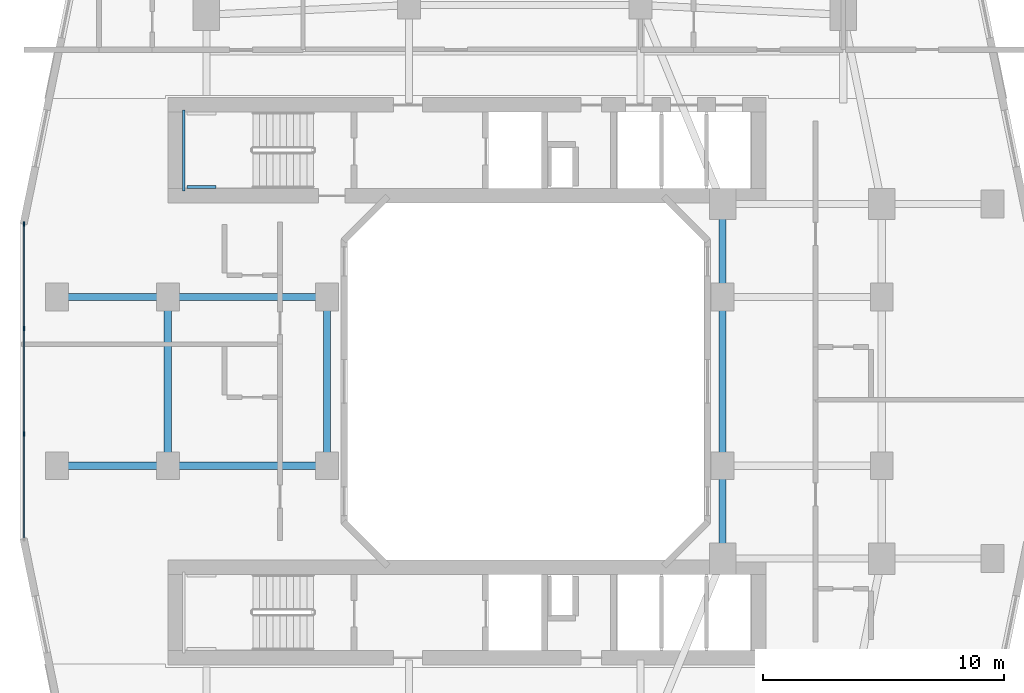
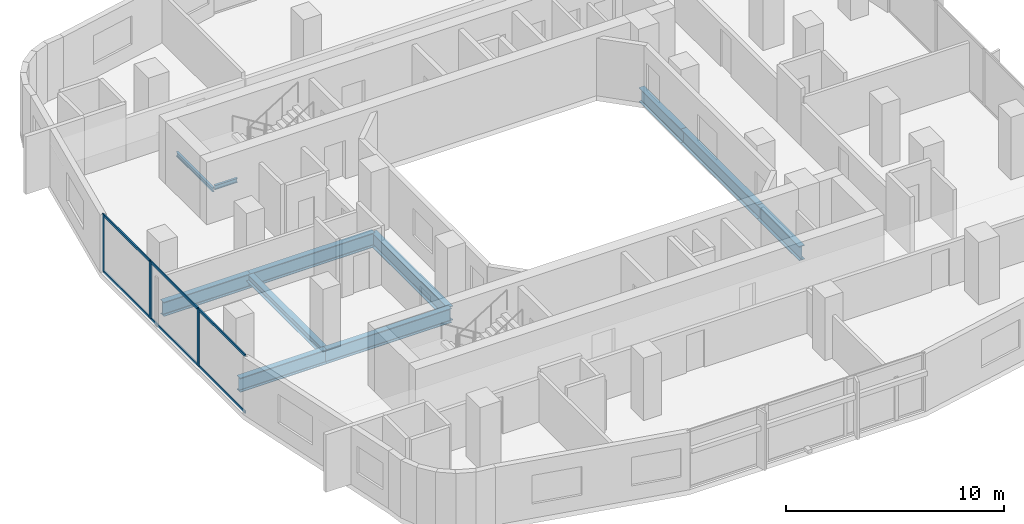
# One storey, part 3 of 26: 11 beams, 9 members, 1 element without a shape of its own.
"""IFC4 building model written with IfcOpenShell, lengths in metres."""

from ifc_helpers import new_model, si_unit, derived_unit, direction, frame, origin, origin_2d, place, context, subcontext, project, spatial, rectangle, i_section, extrude, material, layer, layer_set, material_profile, profile_set, type_object, element, aggregate, save


model = new_model("IFC4")

# Units and contexts
model_context = context("Model", 3, precision=1e-05, world=origin(), true_north=direction((0.0, 1.0)))
body_context = subcontext(model_context, "Body", "Model", "MODEL_VIEW")
ifc_project = project(units=[si_unit("LENGTHUNIT", "METRE"), si_unit("AREAUNIT", "SQUARE_METRE"), si_unit("VOLUMEUNIT", "CUBIC_METRE"), si_unit("PLANEANGLEUNIT", "RADIAN"), si_unit("MASSUNIT", "GRAM", prefix="KILO"), derived_unit("THERMALTRANSMITTANCEUNIT", [(si_unit("POWERUNIT", "WATT"), 1), (si_unit("LENGTHUNIT", "METRE"), -2), (si_unit("THERMODYNAMICTEMPERATUREUNIT", "KELVIN"), -1)])], contexts=[model_context])

# Site, building, storey
site_placement = place(None, origin())
site = spatial("IfcSite", under=ifc_project, at=site_placement, CompositionType="ELEMENT")
building_placement = place(site_placement, origin())
building = spatial("IfcBuilding", under=site, at=building_placement, Name="Kivonza Crest Hotel", CompositionType="ELEMENT")
storey_placement = place(building_placement, frame((0.0, 0.0, 45.0)))
storey = spatial("IfcBuildingStorey", under=building, at=storey_placement, Name="L11", CompositionType="ELEMENT", Elevation=45.0)

# Beams
ifc_material_1 = material(Name="Steel S355", Category="steel")
ifc_material_profile_1 = material_profile(ifc_material_1, i_section(OverallWidth=0.300048828125, OverallDepth=0.449951171875, WebThickness=0.013916015625, FlangeThickness=0.02587890625, FilletRadius=0.027099609375, at=origin_2d()), Name="HEB 450")
ifc_profile_set_1 = profile_set([ifc_material_profile_1], Name="Steel S355")
beam_type_1 = type_object("IfcBeamType", Name="BM-HEB450", PredefinedType="SPANDREL", material=ifc_profile_set_1)
beam_1_placement = place(storey_placement, frame((6.199951171875, 28.5, -0.5048828125), z_axis=(0.0, -1.0, 0.0), x_axis=(1.0, 0.0, 0.0)))
element("IfcBeam", 1, at=beam_1_placement, inside=storey, type_object=beam_type_1, Name="Tower T1 L11 perimeter spandrel W2-W1", PredefinedType="SPANDREL", context=body_context, shape_type="SweptSolid", body=[
    extrude(i_section(OverallWidth=0.300048828125, OverallDepth=0.449951171875, WebThickness=0.013916015625, FlangeThickness=0.02587890625, FilletRadius=0.027099609375, at=origin_2d()), origin(), (0.0, 0.0, 1.0), 7.0),
])
ifc_material_profile_2 = material_profile(ifc_material_1, i_section(OverallWidth=0.300048828125, OverallDepth=0.800048828125, WebThickness=0.017578125, FlangeThickness=0.032958984375, FilletRadius=0.030029296875, at=origin_2d()), Name="HEB 800")
ifc_profile_set_2 = profile_set([ifc_material_profile_2], Name="Steel S355")
beam_type_2 = type_object("IfcBeamType", Name="BM-HEB800", PredefinedType="BEAM", material=ifc_profile_set_2)
for number, where, z_axis, x_axis, name in (
    (2, (6.199951171875, 21.5, -0.679931640625), (1.0, 0.0, 0.0), (0.0, 1.0, 0.0), "Tower T1 L11 primary girder W1-WL1"),
    (3, (6.199951171875, 28.5, -0.679931640625), (1.0, 0.0, 0.0), (0.0, 1.0, 0.0), "Tower T1 L11 primary girder W2-WL2"),
):
    element("IfcBeam", number, at=place(storey_placement, frame(where, z_axis=z_axis, x_axis=x_axis)), inside=storey, type_object=beam_type_2, Name=name, PredefinedType="BEAM", context=body_context, shape_type="SweptSolid", body=[
        extrude(i_section(OverallWidth=0.300048828125, OverallDepth=0.800048828125, WebThickness=0.017578125, FlangeThickness=0.032958984375, FilletRadius=0.030029296875, at=origin_2d()), origin(), (0.0, 0.0, 1.0), 6.60009765625),
    ])
for number, where, z_axis, x_axis, name in (
    (4, (12.800048828125, 21.5, -0.679931640625), (0.0, 1.0, 0.0), (-1.0, 0.0, 0.0), "Tower T1 L11 primary girder WL1-WL2"),
    (5, (29.199951171875, 21.5, -0.679931640625), (0.0, 1.0, 0.0), (-1.0, 0.0, 0.0), "Tower T1 L11 primary girder WR1-WR2"),
):
    element("IfcBeam", number, at=place(storey_placement, frame(where, z_axis=z_axis, x_axis=x_axis)), inside=storey, type_object=beam_type_2, Name=name, PredefinedType="BEAM", context=body_context, shape_type="SweptSolid", body=[
        extrude(i_section(OverallWidth=0.300048828125, OverallDepth=0.800048828125, WebThickness=0.017578125, FlangeThickness=0.032958984375, FilletRadius=0.030029296875, at=origin_2d()), origin(), (0.0, 0.0, 1.0), 7.0),
    ])
for number, where, z_axis, x_axis, name in (
    (6, (29.199951171875, 17.64990234375, -0.679931640625), (0.0, 1.0, 0.0), (-1.0, 0.0, 0.0), "Tower T1 L11 primary girder TSE-WR1"),
    (7, (29.199951171875, 28.5, -0.679931640625), (0.0, 1.0, 0.0), (-1.0, 0.0, 0.0), "Tower T1 L11 primary girder WR2-TNE"),
):
    element("IfcBeam", number, at=place(storey_placement, frame(where, z_axis=z_axis, x_axis=x_axis)), inside=storey, type_object=beam_type_2, Name=name, PredefinedType="BEAM", context=body_context, shape_type="SweptSolid", body=[
        extrude(i_section(OverallWidth=0.300048828125, OverallDepth=0.800048828125, WebThickness=0.017578125, FlangeThickness=0.032958984375, FilletRadius=0.030029296875, at=origin_2d()), origin(), (0.0, 0.0, 1.0), 3.85009765625),
    ])
for number, where, z_axis, x_axis, name in (
    (8, (1.60009765625, 21.5, -0.679931640625), (1.0, 0.0, 0.0), (0.0, 1.0, 0.0), "Tower T1 L11 outer bay girder ZW1"),
    (9, (1.60009765625, 28.5, -0.679931640625), (1.0, 0.0, 0.0), (0.0, 1.0, 0.0), "Tower T1 L11 outer bay girder ZW2"),
):
    element("IfcBeam", number, at=place(storey_placement, frame(where, z_axis=z_axis, x_axis=x_axis)), inside=storey, type_object=beam_type_2, Name=name, PredefinedType="BEAM", context=body_context, shape_type="SweptSolid", body=[
        extrude(i_section(OverallWidth=0.300048828125, OverallDepth=0.800048828125, WebThickness=0.017578125, FlangeThickness=0.032958984375, FilletRadius=0.030029296875, at=origin_2d()), origin(), (0.0, 0.0, 1.0), 4.599853515625),
    ])
ifc_material_profile_3 = material_profile(ifc_material_1, i_section(OverallWidth=0.1201171875, OverallDepth=0.239990234375, WebThickness=0.006103515625, FlangeThickness=0.009765625, FilletRadius=0.014892578125, at=origin_2d()), Name="IPE 240")
ifc_profile_set_3 = profile_set([ifc_material_profile_3], Name="Steel S355")
beam_type_3 = type_object("IfcBeamType", Name="BM-LLDG-240", PredefinedType="BEAM", material=ifc_profile_set_3)
beam_2_placement = place(storey_placement, frame((6.860107421875, 32.89990234375, 1.429931640625), z_axis=(0.0, 1.0, 0.0), x_axis=(-1.0, 0.0, 0.0)))
element("IfcBeam", 10, at=beam_2_placement, inside=storey, type_object=beam_type_3, Name="Stair ST-T1-N L11 West landing corbel", PredefinedType="BEAM", context=body_context, shape_type="SweptSolid", body=[
    extrude(i_section(OverallWidth=0.1201171875, OverallDepth=0.239990234375, WebThickness=0.006103515625, FlangeThickness=0.009765625, FilletRadius=0.014892578125, at=origin_2d()), origin(), (0.0, 0.0, 1.0), 3.360107421875),
])
beam_3_placement = place(storey_placement, frame((6.989990234375, 33.06005859375, 1.429931640625), z_axis=(1.0, 0.0, 0.0), x_axis=(0.0, 1.0, 0.0)))
element("IfcBeam", 11, at=beam_3_placement, inside=storey, type_object=beam_type_3, Name="Stair ST-T1-N L11 South landing corbel", PredefinedType="BEAM", context=body_context, shape_type="SweptSolid", body=[
    extrude(i_section(OverallWidth=0.1201171875, OverallDepth=0.239990234375, WebThickness=0.006103515625, FlangeThickness=0.009765625, FilletRadius=0.014892578125, at=origin_2d()), origin(), (0.0, 0.0, 1.0), 1.2099609375),
])

# Curtain wall, members
ifc_material_2 = material(Name="Anodised bronze aluminium and low-E double glazing", Category="aluminium")
ifc_layer = layer(ifc_material_2, 0.179931640625)
ifc_layer_set = layer_set([ifc_layer], Name="Anodised bronze aluminium and low-E double glazing")
curtain_wall_type = type_object("IfcCurtainWallType", Name="CW-SYS-2", PredefinedType="NOTDEFINED", material=ifc_layer_set)
curtain_wall_placement = place(storey_placement, origin())
curtain_wall = element("IfcCurtainWall", 12, at=curtain_wall_placement, inside=storey, type_object=curtain_wall_type, Name="L11 unitised curtain wall CW-T1-L11-35", PredefinedType="NOTDEFINED")
ifc_material_3 = material(Name="Anodised bronze aluminium", Category="aluminium")
ifc_material_profile_4 = material_profile(ifc_material_3, rectangle(XDim=0.06494140625, YDim=0.179931640625, at=origin_2d()), Name="CW-M 65x180")
ifc_profile_set_4 = profile_set([ifc_material_profile_4], Name="Anodised bronze aluminium")
member_type_1 = type_object("IfcMemberType", Name="CW-MUL-65x180", PredefinedType="MULLION", material=ifc_profile_set_4)
member_1_placement = place(storey_placement, frame((0.239990234375, 31.527587890625, 0.0), z_axis=(0.0, 0.0, 1.0), x_axis=(1.0, 0.0, 0.0)))
member_1 = element("IfcMember", 13, at=member_1_placement, type_object=member_type_1, Name="CW-2 mullion 1", PredefinedType="MULLION", context=body_context, shape_type="SweptSolid", body=[
    extrude(rectangle(XDim=0.06494140625, YDim=0.179931640625, at=origin_2d()), origin(), (0.0, 0.0, 1.0), 3.219970703125),
])
member_2_placement = place(storey_placement, frame((0.239990234375, 27.186767578125, 0.0), z_axis=(0.0, 0.0, 1.0), x_axis=(1.0, 0.0, 0.0)))
member_2 = element("IfcMember", 14, at=member_2_placement, type_object=member_type_1, Name="CW-2 mullion 2", PredefinedType="MULLION", context=body_context, shape_type="SweptSolid", body=[
    extrude(rectangle(XDim=0.06494140625, YDim=0.179931640625, at=origin_2d()), origin(), (0.0, 0.0, 1.0), 3.219970703125),
])
member_3_placement = place(storey_placement, frame((0.239990234375, 22.813232421875, 0.0), z_axis=(0.0, 0.0, 1.0), x_axis=(1.0, 0.0, 0.0)))
member_3 = element("IfcMember", 15, at=member_3_placement, type_object=member_type_1, Name="CW-2 mullion 3", PredefinedType="MULLION", context=body_context, shape_type="SweptSolid", body=[
    extrude(rectangle(XDim=0.06494140625, YDim=0.179931640625, at=origin_2d()), origin(), (0.0, 0.0, 1.0), 3.219970703125),
])
ifc_material_profile_5 = material_profile(ifc_material_3, rectangle(XDim=0.06494140625, YDim=0.139892578125, at=origin_2d()), Name="CW-T 65x140")
ifc_profile_set_5 = profile_set([ifc_material_profile_5], Name="Anodised bronze aluminium")
member_type_2 = type_object("IfcMemberType", Name="CW-TRN-65x140", PredefinedType="USERDEFINED", material=ifc_profile_set_5)
member_4_placement = place(storey_placement, frame((0.239990234375, 31.4951171875, 0.032470703125), z_axis=(0.0, -1.0, 0.0), x_axis=(1.0, 0.0, 0.0)))
member_4 = element("IfcMember", 16, at=member_4_placement, type_object=member_type_2, Name="CW-2 transom 1.1", ObjectType="TRANSOM", PredefinedType="USERDEFINED", context=body_context, shape_type="SweptSolid", body=[
    extrude(rectangle(XDim=0.06494140625, YDim=0.139892578125, at=origin_2d()), origin(), (0.0, 0.0, 1.0), 4.27587890625),
])
member_5_placement = place(storey_placement, frame((0.239990234375, 31.4951171875, 3.1875), z_axis=(0.0, -1.0, 0.0), x_axis=(1.0, 0.0, 0.0)))
member_5 = element("IfcMember", 17, at=member_5_placement, type_object=member_type_2, Name="CW-2 transom 1.2", ObjectType="TRANSOM", PredefinedType="USERDEFINED", context=body_context, shape_type="SweptSolid", body=[
    extrude(rectangle(XDim=0.06494140625, YDim=0.139892578125, at=origin_2d()), origin(), (0.0, 0.0, 1.0), 4.27587890625),
])
member_6_placement = place(storey_placement, frame((0.239990234375, 27.154052734375, 0.032470703125), z_axis=(0.0, -1.0, 0.0), x_axis=(1.0, 0.0, 0.0)))
member_6 = element("IfcMember", 18, at=member_6_placement, type_object=member_type_2, Name="CW-2 transom 2.1", ObjectType="TRANSOM", PredefinedType="USERDEFINED", context=body_context, shape_type="SweptSolid", body=[
    extrude(rectangle(XDim=0.06494140625, YDim=0.139892578125, at=origin_2d()), origin(), (0.0, 0.0, 1.0), 4.30810546875),
])
member_7_placement = place(storey_placement, frame((0.239990234375, 27.154052734375, 3.1875), z_axis=(0.0, -1.0, 0.0), x_axis=(1.0, 0.0, 0.0)))
member_7 = element("IfcMember", 19, at=member_7_placement, type_object=member_type_2, Name="CW-2 transom 2.2", ObjectType="TRANSOM", PredefinedType="USERDEFINED", context=body_context, shape_type="SweptSolid", body=[
    extrude(rectangle(XDim=0.06494140625, YDim=0.139892578125, at=origin_2d()), origin(), (0.0, 0.0, 1.0), 4.30810546875),
])
member_8_placement = place(storey_placement, frame((0.239990234375, 22.78076171875, 0.032470703125), z_axis=(0.0, -1.0, 0.0), x_axis=(1.0, 0.0, 0.0)))
member_8 = element("IfcMember", 20, at=member_8_placement, type_object=member_type_2, Name="CW-2 transom 3.1", ObjectType="TRANSOM", PredefinedType="USERDEFINED", context=body_context, shape_type="SweptSolid", body=[
    extrude(rectangle(XDim=0.06494140625, YDim=0.139892578125, at=origin_2d()), origin(), (0.0, 0.0, 1.0), 4.27587890625),
])
member_9_placement = place(storey_placement, frame((0.239990234375, 22.78076171875, 3.1875), z_axis=(0.0, -1.0, 0.0), x_axis=(1.0, 0.0, 0.0)))
member_9 = element("IfcMember", 21, at=member_9_placement, type_object=member_type_2, Name="CW-2 transom 3.2", ObjectType="TRANSOM", PredefinedType="USERDEFINED", context=body_context, shape_type="SweptSolid", body=[
    extrude(rectangle(XDim=0.06494140625, YDim=0.139892578125, at=origin_2d()), origin(), (0.0, 0.0, 1.0), 4.27587890625),
])
aggregate(curtain_wall, [member_1, member_2, member_3, member_4, member_5, member_6, member_7, member_8, member_9])

save(model, "model.ifc")
